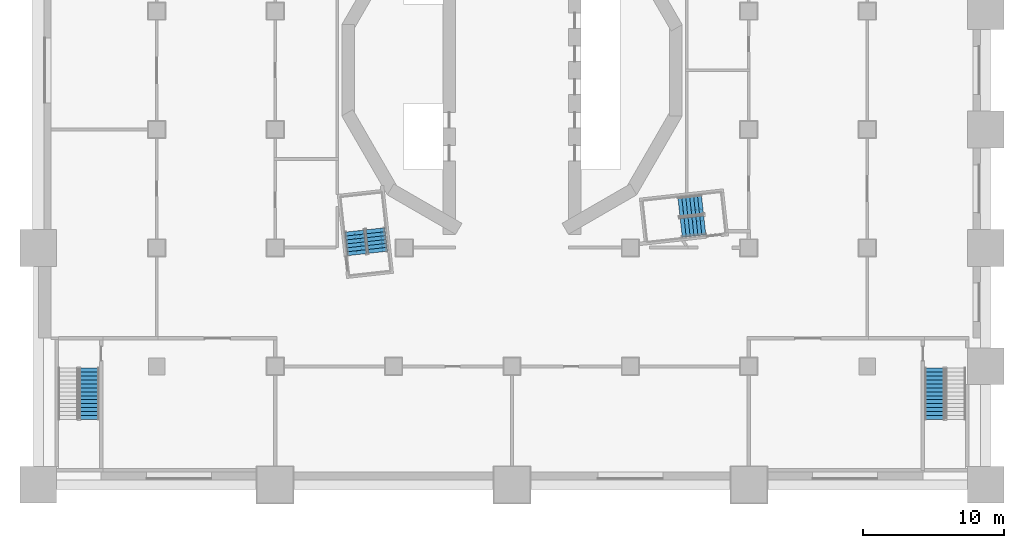
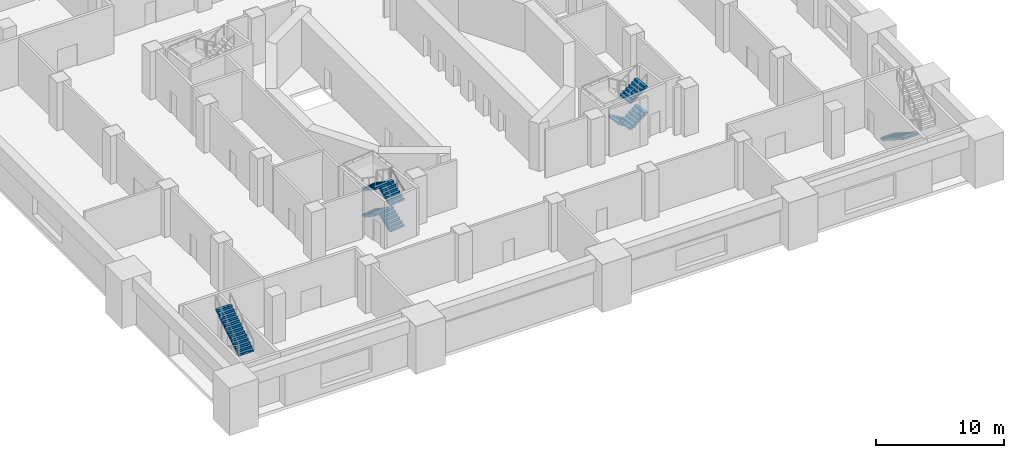
# One storey, part 6 of 17: 9 stair flights, 4 elements without a shape of their own.
"""IFC4 building model written with IfcOpenShell, lengths in metres."""

from ifc_helpers import new_model, si_unit, direction, frame, origin, place, context, subcontext, project, spatial, polyline, outline, extrude, material, type_object, element, aggregate, save


model = new_model("IFC4")

# Units and contexts
model_context = context("Model", 3, precision=1e-05, world=origin(), true_north=direction((0.0, 1.0)))
body_context = subcontext(model_context, "Body", "Model", "MODEL_VIEW")
ifc_project = project(units=[si_unit("LENGTHUNIT", "METRE"), si_unit("AREAUNIT", "SQUARE_METRE"), si_unit("VOLUMEUNIT", "CUBIC_METRE"), si_unit("PLANEANGLEUNIT", "RADIAN"), si_unit("MASSUNIT", "GRAM", prefix="KILO")], contexts=[model_context])

# Site, building, storey
site_placement = place(None, origin())
site = spatial("IfcSite", under=ifc_project, at=site_placement, CompositionType="ELEMENT")
building_placement = place(site_placement, origin())
building = spatial("IfcBuilding", under=site, at=building_placement, Name="Cantera Rosa Tower", CompositionType="ELEMENT")
storey_placement = place(building_placement, frame((0.0, 0.0, 32.0)))
storey = spatial("IfcBuildingStorey", under=building, at=storey_placement, Name="L05", CompositionType="ELEMENT", Elevation=32.0)

# Stair, stair flights
ifc_material_1 = material(Name="Concrete C35/45", Category="concrete")
stair_type_1 = type_object("IfcStairType", Name="EXIT STAIR 1350 DOGLEG", PredefinedType="HALF_TURN_STAIR", material=ifc_material_1)
stair_1_placement = place(storey_placement, origin())
stair_1 = element("IfcStair", 1, at=stair_1_placement, inside=storey, type_object=stair_type_1, Name="L05 ST-13", PredefinedType="HALF_TURN_STAIR")
ifc_material_2 = material(Name="Concrete C35/45", Category="concrete")
stair_flight_type_1 = type_object("IfcStairFlightType", Name="STAIR FLIGHT 1350 R28x179", PredefinedType="STRAIGHT", material=ifc_material_2)
stair_flight_1_placement = place(storey_placement, frame((-9.500244140625, -12.90869140625, 0.0), z_axis=(0.0, 0.0, 1.0), x_axis=(-0.110312549749, 0.993896947056, 0.0)))
stair_flight_1 = element("IfcStairFlight", 2, at=stair_flight_1_placement, type_object=stair_flight_type_1, Name="ST-13 flight 1", NumberOfRisers=7, NumberOfTreads=6, PredefinedType="STRAIGHT", RiserHeight=0.178571429, TreadLength=0.28, context=body_context, shape_type="SweptSolid", body=[
    extrude(outline(polyline([(0.0, 0.0), (0.0, 0.178466796875), (0.280029296875, 0.178466796875), (0.280029296875, 0.357177734375), (0.56005859375, 0.357177734375), (0.56005859375, 0.53564453125), (0.840087890625, 0.53564453125), (0.840087890625, 0.71435546875), (1.1201171875, 0.71435546875), (1.1201171875, 0.892822265625), (1.39990234375, 0.892822265625), (1.39990234375, 1.071533203125), (1.679931640625, 1.071533203125), (1.679931640625, 1.25), (1.679931640625, 0.8935546875), (0.27880859375, 0.0), (0.0, 0.0)])), frame((0.0, 0.675048828125, 0.0), z_axis=(0.0, -1.0, 0.0), x_axis=(1.0, 0.0, 0.0)), (0.0, 0.0, 1.0), 0.3359375),
    extrude(outline(polyline([(0.0, 0.0), (0.0, 0.178466796875), (0.280029296875, 0.178466796875), (0.280029296875, 0.357177734375), (0.56005859375, 0.357177734375), (0.56005859375, 0.53564453125), (0.840087890625, 0.53564453125), (0.840087890625, 0.71435546875), (1.1201171875, 0.71435546875), (1.1201171875, 0.892822265625), (1.39990234375, 0.892822265625), (1.39990234375, 1.071533203125), (1.679931640625, 1.071533203125), (1.679931640625, 1.25), (1.679931640625, 0.8935546875), (0.27880859375, 0.0), (0.0, 0.0)])), frame((0.0, 0.337158203125, 0.0), z_axis=(0.0, -1.0, 0.0), x_axis=(1.0, 0.0, 0.0)), (0.0, 0.0, 1.0), 0.3359375),
    extrude(outline(polyline([(0.0, 0.0), (0.0, 0.178466796875), (0.280029296875, 0.178466796875), (0.280029296875, 0.357177734375), (0.56005859375, 0.357177734375), (0.56005859375, 0.53564453125), (0.840087890625, 0.53564453125), (0.840087890625, 0.71435546875), (1.1201171875, 0.71435546875), (1.1201171875, 0.892822265625), (1.39990234375, 0.892822265625), (1.39990234375, 1.071533203125), (1.679931640625, 1.071533203125), (1.679931640625, 1.25), (1.679931640625, 0.8935546875), (0.27880859375, 0.0), (0.0, 0.0)])), frame((0.0, -0.000732421875, 0.0), z_axis=(0.0, -1.0, 0.0), x_axis=(1.0, 0.0, 0.0)), (0.0, 0.0, 1.0), 0.3359375),
    extrude(outline(polyline([(0.0, 0.0), (0.0, 0.178466796875), (0.280029296875, 0.178466796875), (0.280029296875, 0.357177734375), (0.56005859375, 0.357177734375), (0.56005859375, 0.53564453125), (0.840087890625, 0.53564453125), (0.840087890625, 0.71435546875), (1.1201171875, 0.71435546875), (1.1201171875, 0.892822265625), (1.39990234375, 0.892822265625), (1.39990234375, 1.071533203125), (1.679931640625, 1.071533203125), (1.679931640625, 1.25), (1.679931640625, 0.8935546875), (0.27880859375, 0.0), (0.0, 0.0)])), frame((0.0, -0.338623046875, 0.0), z_axis=(0.0, -1.0, 0.0), x_axis=(1.0, 0.0, 0.0)), (0.0, 0.0, 1.0), 0.3359375),
])
stair_flight_2_placement = place(storey_placement, frame((-11.17626953125, -11.404541015625, 1.25), z_axis=(0.0, 0.0, 1.0), x_axis=(0.110312549749, -0.993896947056, 0.0)))
stair_flight_2 = element("IfcStairFlight", 3, at=stair_flight_2_placement, type_object=stair_flight_type_1, Name="ST-13 flight 2", NumberOfRisers=7, NumberOfTreads=6, PredefinedType="STRAIGHT", RiserHeight=0.178571429, TreadLength=0.28, context=body_context, shape_type="SweptSolid", body=[
    extrude(outline(polyline([(0.0, 0.0), (0.0, 0.178466796875), (0.280029296875, 0.178466796875), (0.280029296875, 0.357177734375), (0.56005859375, 0.357177734375), (0.56005859375, 0.53564453125), (0.840087890625, 0.53564453125), (0.840087890625, 0.71435546875), (1.1201171875, 0.71435546875), (1.1201171875, 0.892822265625), (1.39990234375, 0.892822265625), (1.39990234375, 1.071533203125), (1.679931640625, 1.071533203125), (1.679931640625, 1.25), (1.679931640625, 0.8935546875), (0.27880859375, 0.0), (0.0, 0.0)])), frame((0.0, 0.675048828125, 0.0), z_axis=(0.0, -1.0, 0.0), x_axis=(1.0, 0.0, 0.0)), (0.0, 0.0, 1.0), 0.3359375),
    extrude(outline(polyline([(0.0, 0.0), (0.0, 0.178466796875), (0.280029296875, 0.178466796875), (0.280029296875, 0.357177734375), (0.56005859375, 0.357177734375), (0.56005859375, 0.53564453125), (0.840087890625, 0.53564453125), (0.840087890625, 0.71435546875), (1.1201171875, 0.71435546875), (1.1201171875, 0.892822265625), (1.39990234375, 0.892822265625), (1.39990234375, 1.071533203125), (1.679931640625, 1.071533203125), (1.679931640625, 1.25), (1.679931640625, 0.8935546875), (0.27880859375, 0.0), (0.0, 0.0)])), frame((0.0, 0.337158203125, 0.0), z_axis=(0.0, -1.0, 0.0), x_axis=(1.0, 0.0, 0.0)), (0.0, 0.0, 1.0), 0.3359375),
    extrude(outline(polyline([(0.0, 0.0), (0.0, 0.178466796875), (0.280029296875, 0.178466796875), (0.280029296875, 0.357177734375), (0.56005859375, 0.357177734375), (0.56005859375, 0.53564453125), (0.840087890625, 0.53564453125), (0.840087890625, 0.71435546875), (1.1201171875, 0.71435546875), (1.1201171875, 0.892822265625), (1.39990234375, 0.892822265625), (1.39990234375, 1.071533203125), (1.679931640625, 1.071533203125), (1.679931640625, 1.25), (1.679931640625, 0.8935546875), (0.27880859375, 0.0), (0.0, 0.0)])), frame((0.0, -0.000732421875, 0.0), z_axis=(0.0, -1.0, 0.0), x_axis=(1.0, 0.0, 0.0)), (0.0, 0.0, 1.0), 0.3359375),
    extrude(outline(polyline([(0.0, 0.0), (0.0, 0.178466796875), (0.280029296875, 0.178466796875), (0.280029296875, 0.357177734375), (0.56005859375, 0.357177734375), (0.56005859375, 0.53564453125), (0.840087890625, 0.53564453125), (0.840087890625, 0.71435546875), (1.1201171875, 0.71435546875), (1.1201171875, 0.892822265625), (1.39990234375, 0.892822265625), (1.39990234375, 1.071533203125), (1.679931640625, 1.071533203125), (1.679931640625, 1.25), (1.679931640625, 0.8935546875), (0.27880859375, 0.0), (0.0, 0.0)])), frame((0.0, -0.338623046875, 0.0), z_axis=(0.0, -1.0, 0.0), x_axis=(1.0, 0.0, 0.0)), (0.0, 0.0, 1.0), 0.3359375),
])
stair_flight_3_placement = place(storey_placement, frame((-9.500244140625, -12.90869140625, 2.5), z_axis=(0.0, 0.0, 1.0), x_axis=(-0.110312549749, 0.993896947056, 0.0)))
stair_flight_3 = element("IfcStairFlight", 4, at=stair_flight_3_placement, type_object=stair_flight_type_1, Name="ST-13 flight 3", NumberOfRisers=7, NumberOfTreads=6, PredefinedType="STRAIGHT", RiserHeight=0.178571429, TreadLength=0.28, context=body_context, shape_type="SweptSolid", body=[
    extrude(outline(polyline([(0.0, 0.0), (0.0, 0.178466796875), (0.280029296875, 0.178466796875), (0.280029296875, 0.357177734375), (0.56005859375, 0.357177734375), (0.56005859375, 0.53564453125), (0.840087890625, 0.53564453125), (0.840087890625, 0.71435546875), (1.1201171875, 0.71435546875), (1.1201171875, 0.892822265625), (1.39990234375, 0.892822265625), (1.39990234375, 1.071533203125), (1.679931640625, 1.071533203125), (1.679931640625, 1.25), (1.679931640625, 0.8935546875), (0.27880859375, 0.0), (0.0, 0.0)])), frame((0.0, 0.675048828125, 0.0), z_axis=(0.0, -1.0, 0.0), x_axis=(1.0, 0.0, 0.0)), (0.0, 0.0, 1.0), 0.3359375),
    extrude(outline(polyline([(0.0, 0.0), (0.0, 0.178466796875), (0.280029296875, 0.178466796875), (0.280029296875, 0.357177734375), (0.56005859375, 0.357177734375), (0.56005859375, 0.53564453125), (0.840087890625, 0.53564453125), (0.840087890625, 0.71435546875), (1.1201171875, 0.71435546875), (1.1201171875, 0.892822265625), (1.39990234375, 0.892822265625), (1.39990234375, 1.071533203125), (1.679931640625, 1.071533203125), (1.679931640625, 1.25), (1.679931640625, 0.8935546875), (0.27880859375, 0.0), (0.0, 0.0)])), frame((0.0, 0.337158203125, 0.0), z_axis=(0.0, -1.0, 0.0), x_axis=(1.0, 0.0, 0.0)), (0.0, 0.0, 1.0), 0.3359375),
    extrude(outline(polyline([(0.0, 0.0), (0.0, 0.178466796875), (0.280029296875, 0.178466796875), (0.280029296875, 0.357177734375), (0.56005859375, 0.357177734375), (0.56005859375, 0.53564453125), (0.840087890625, 0.53564453125), (0.840087890625, 0.71435546875), (1.1201171875, 0.71435546875), (1.1201171875, 0.892822265625), (1.39990234375, 0.892822265625), (1.39990234375, 1.071533203125), (1.679931640625, 1.071533203125), (1.679931640625, 1.25), (1.679931640625, 0.8935546875), (0.27880859375, 0.0), (0.0, 0.0)])), frame((0.0, -0.000732421875, 0.0), z_axis=(0.0, -1.0, 0.0), x_axis=(1.0, 0.0, 0.0)), (0.0, 0.0, 1.0), 0.3359375),
    extrude(outline(polyline([(0.0, 0.0), (0.0, 0.178466796875), (0.280029296875, 0.178466796875), (0.280029296875, 0.357177734375), (0.56005859375, 0.357177734375), (0.56005859375, 0.53564453125), (0.840087890625, 0.53564453125), (0.840087890625, 0.71435546875), (1.1201171875, 0.71435546875), (1.1201171875, 0.892822265625), (1.39990234375, 0.892822265625), (1.39990234375, 1.071533203125), (1.679931640625, 1.071533203125), (1.679931640625, 1.25), (1.679931640625, 0.8935546875), (0.27880859375, 0.0), (0.0, 0.0)])), frame((0.0, -0.338623046875, 0.0), z_axis=(0.0, -1.0, 0.0), x_axis=(1.0, 0.0, 0.0)), (0.0, 0.0, 1.0), 0.3359375),
])
stair_flight_4_placement = place(storey_placement, frame((-11.17626953125, -11.404541015625, 3.75), z_axis=(0.0, 0.0, 1.0), x_axis=(0.110312549749, -0.993896947056, 0.0)))
stair_flight_4 = element("IfcStairFlight", 5, at=stair_flight_4_placement, type_object=stair_flight_type_1, Name="ST-13 flight 4", NumberOfRisers=7, NumberOfTreads=6, PredefinedType="STRAIGHT", RiserHeight=0.178571429, TreadLength=0.28, context=body_context, shape_type="SweptSolid", body=[
    extrude(outline(polyline([(0.0, 0.0), (0.0, 0.178466796875), (0.280029296875, 0.178466796875), (0.280029296875, 0.357177734375), (0.56005859375, 0.357177734375), (0.56005859375, 0.53564453125), (0.840087890625, 0.53564453125), (0.840087890625, 0.71435546875), (1.1201171875, 0.71435546875), (1.1201171875, 0.892822265625), (1.39990234375, 0.892822265625), (1.39990234375, 1.071533203125), (1.679931640625, 1.071533203125), (1.679931640625, 1.25), (1.679931640625, 0.8935546875), (0.27880859375, 0.0), (0.0, 0.0)])), frame((0.0, 0.675048828125, 0.0), z_axis=(0.0, -1.0, 0.0), x_axis=(1.0, 0.0, 0.0)), (0.0, 0.0, 1.0), 0.3359375),
    extrude(outline(polyline([(0.0, 0.0), (0.0, 0.178466796875), (0.280029296875, 0.178466796875), (0.280029296875, 0.357177734375), (0.56005859375, 0.357177734375), (0.56005859375, 0.53564453125), (0.840087890625, 0.53564453125), (0.840087890625, 0.71435546875), (1.1201171875, 0.71435546875), (1.1201171875, 0.892822265625), (1.39990234375, 0.892822265625), (1.39990234375, 1.071533203125), (1.679931640625, 1.071533203125), (1.679931640625, 1.25), (1.679931640625, 0.8935546875), (0.27880859375, 0.0), (0.0, 0.0)])), frame((0.0, 0.337158203125, 0.0), z_axis=(0.0, -1.0, 0.0), x_axis=(1.0, 0.0, 0.0)), (0.0, 0.0, 1.0), 0.3359375),
    extrude(outline(polyline([(0.0, 0.0), (0.0, 0.178466796875), (0.280029296875, 0.178466796875), (0.280029296875, 0.357177734375), (0.56005859375, 0.357177734375), (0.56005859375, 0.53564453125), (0.840087890625, 0.53564453125), (0.840087890625, 0.71435546875), (1.1201171875, 0.71435546875), (1.1201171875, 0.892822265625), (1.39990234375, 0.892822265625), (1.39990234375, 1.071533203125), (1.679931640625, 1.071533203125), (1.679931640625, 1.25), (1.679931640625, 0.8935546875), (0.27880859375, 0.0), (0.0, 0.0)])), frame((0.0, -0.000732421875, 0.0), z_axis=(0.0, -1.0, 0.0), x_axis=(1.0, 0.0, 0.0)), (0.0, 0.0, 1.0), 0.3359375),
    extrude(outline(polyline([(0.0, 0.0), (0.0, 0.178466796875), (0.280029296875, 0.178466796875), (0.280029296875, 0.357177734375), (0.56005859375, 0.357177734375), (0.56005859375, 0.53564453125), (0.840087890625, 0.53564453125), (0.840087890625, 0.71435546875), (1.1201171875, 0.71435546875), (1.1201171875, 0.892822265625), (1.39990234375, 0.892822265625), (1.39990234375, 1.071533203125), (1.679931640625, 1.071533203125), (1.679931640625, 1.25), (1.679931640625, 0.8935546875), (0.27880859375, 0.0), (0.0, 0.0)])), frame((0.0, -0.338623046875, 0.0), z_axis=(0.0, -1.0, 0.0), x_axis=(1.0, 0.0, 0.0)), (0.0, 0.0, 1.0), 0.3359375),
])
aggregate(stair_1, [stair_flight_1, stair_flight_2, stair_flight_3, stair_flight_4])

stair_2_placement = place(storey_placement, origin())
stair_2 = element("IfcStair", 6, at=stair_2_placement, inside=storey, type_object=stair_type_1, Name="L05 ST-14", PredefinedType="HALF_TURN_STAIR")
stair_flight_5_placement = place(storey_placement, frame((13.5087890625, -9.500244140625, 0.0), z_axis=(0.0, 0.0, 1.0), x_axis=(-0.993896947056, -0.110312549749, 0.0)))
stair_flight_5 = element("IfcStairFlight", 7, at=stair_flight_5_placement, type_object=stair_flight_type_1, Name="ST-14 flight 1", NumberOfRisers=7, NumberOfTreads=6, PredefinedType="STRAIGHT", RiserHeight=0.178571429, TreadLength=0.28, context=body_context, shape_type="SweptSolid", body=[
    extrude(outline(polyline([(0.0, 0.0), (0.0, 0.178466796875), (0.280029296875, 0.178466796875), (0.280029296875, 0.357177734375), (0.56005859375, 0.357177734375), (0.56005859375, 0.53564453125), (0.840087890625, 0.53564453125), (0.840087890625, 0.71435546875), (1.1201171875, 0.71435546875), (1.1201171875, 0.892822265625), (1.39990234375, 0.892822265625), (1.39990234375, 1.071533203125), (1.679931640625, 1.071533203125), (1.679931640625, 1.25), (1.679931640625, 0.8935546875), (0.27880859375, 0.0), (0.0, 0.0)])), frame((0.0, 0.675048828125, 0.0), z_axis=(0.0, -1.0, 0.0), x_axis=(1.0, 0.0, 0.0)), (0.0, 0.0, 1.0), 0.3359375),
    extrude(outline(polyline([(0.0, 0.0), (0.0, 0.178466796875), (0.280029296875, 0.178466796875), (0.280029296875, 0.357177734375), (0.56005859375, 0.357177734375), (0.56005859375, 0.53564453125), (0.840087890625, 0.53564453125), (0.840087890625, 0.71435546875), (1.1201171875, 0.71435546875), (1.1201171875, 0.892822265625), (1.39990234375, 0.892822265625), (1.39990234375, 1.071533203125), (1.679931640625, 1.071533203125), (1.679931640625, 1.25), (1.679931640625, 0.8935546875), (0.27880859375, 0.0), (0.0, 0.0)])), frame((0.0, 0.337158203125, 0.0), z_axis=(0.0, -1.0, 0.0), x_axis=(1.0, 0.0, 0.0)), (0.0, 0.0, 1.0), 0.3359375),
    extrude(outline(polyline([(0.0, 0.0), (0.0, 0.178466796875), (0.280029296875, 0.178466796875), (0.280029296875, 0.357177734375), (0.56005859375, 0.357177734375), (0.56005859375, 0.53564453125), (0.840087890625, 0.53564453125), (0.840087890625, 0.71435546875), (1.1201171875, 0.71435546875), (1.1201171875, 0.892822265625), (1.39990234375, 0.892822265625), (1.39990234375, 1.071533203125), (1.679931640625, 1.071533203125), (1.679931640625, 1.25), (1.679931640625, 0.8935546875), (0.27880859375, 0.0), (0.0, 0.0)])), frame((0.0, -0.000732421875, 0.0), z_axis=(0.0, -1.0, 0.0), x_axis=(1.0, 0.0, 0.0)), (0.0, 0.0, 1.0), 0.3359375),
    extrude(outline(polyline([(0.0, 0.0), (0.0, 0.178466796875), (0.280029296875, 0.178466796875), (0.280029296875, 0.357177734375), (0.56005859375, 0.357177734375), (0.56005859375, 0.53564453125), (0.840087890625, 0.53564453125), (0.840087890625, 0.71435546875), (1.1201171875, 0.71435546875), (1.1201171875, 0.892822265625), (1.39990234375, 0.892822265625), (1.39990234375, 1.071533203125), (1.679931640625, 1.071533203125), (1.679931640625, 1.25), (1.679931640625, 0.8935546875), (0.27880859375, 0.0), (0.0, 0.0)])), frame((0.0, -0.338623046875, 0.0), z_axis=(0.0, -1.0, 0.0), x_axis=(1.0, 0.0, 0.0)), (0.0, 0.0, 1.0), 0.3359375),
])
stair_flight_6_placement = place(storey_placement, frame((12.00439453125, -11.17626953125, 1.25), z_axis=(0.0, 0.0, 1.0), x_axis=(0.993896947056, 0.110312549749, 0.0)))
stair_flight_6 = element("IfcStairFlight", 8, at=stair_flight_6_placement, type_object=stair_flight_type_1, Name="ST-14 flight 2", NumberOfRisers=7, NumberOfTreads=6, PredefinedType="STRAIGHT", RiserHeight=0.178571429, TreadLength=0.28, context=body_context, shape_type="SweptSolid", body=[
    extrude(outline(polyline([(0.0, 0.0), (0.0, 0.178466796875), (0.280029296875, 0.178466796875), (0.280029296875, 0.357177734375), (0.56005859375, 0.357177734375), (0.56005859375, 0.53564453125), (0.840087890625, 0.53564453125), (0.840087890625, 0.71435546875), (1.1201171875, 0.71435546875), (1.1201171875, 0.892822265625), (1.39990234375, 0.892822265625), (1.39990234375, 1.071533203125), (1.679931640625, 1.071533203125), (1.679931640625, 1.25), (1.679931640625, 0.8935546875), (0.27880859375, 0.0), (0.0, 0.0)])), frame((0.0, 0.675048828125, 0.0), z_axis=(0.0, -1.0, 0.0), x_axis=(1.0, 0.0, 0.0)), (0.0, 0.0, 1.0), 0.3359375),
    extrude(outline(polyline([(0.0, 0.0), (0.0, 0.178466796875), (0.280029296875, 0.178466796875), (0.280029296875, 0.357177734375), (0.56005859375, 0.357177734375), (0.56005859375, 0.53564453125), (0.840087890625, 0.53564453125), (0.840087890625, 0.71435546875), (1.1201171875, 0.71435546875), (1.1201171875, 0.892822265625), (1.39990234375, 0.892822265625), (1.39990234375, 1.071533203125), (1.679931640625, 1.071533203125), (1.679931640625, 1.25), (1.679931640625, 0.8935546875), (0.27880859375, 0.0), (0.0, 0.0)])), frame((0.0, 0.337158203125, 0.0), z_axis=(0.0, -1.0, 0.0), x_axis=(1.0, 0.0, 0.0)), (0.0, 0.0, 1.0), 0.3359375),
    extrude(outline(polyline([(0.0, 0.0), (0.0, 0.178466796875), (0.280029296875, 0.178466796875), (0.280029296875, 0.357177734375), (0.56005859375, 0.357177734375), (0.56005859375, 0.53564453125), (0.840087890625, 0.53564453125), (0.840087890625, 0.71435546875), (1.1201171875, 0.71435546875), (1.1201171875, 0.892822265625), (1.39990234375, 0.892822265625), (1.39990234375, 1.071533203125), (1.679931640625, 1.071533203125), (1.679931640625, 1.25), (1.679931640625, 0.8935546875), (0.27880859375, 0.0), (0.0, 0.0)])), frame((0.0, -0.000732421875, 0.0), z_axis=(0.0, -1.0, 0.0), x_axis=(1.0, 0.0, 0.0)), (0.0, 0.0, 1.0), 0.3359375),
    extrude(outline(polyline([(0.0, 0.0), (0.0, 0.178466796875), (0.280029296875, 0.178466796875), (0.280029296875, 0.357177734375), (0.56005859375, 0.357177734375), (0.56005859375, 0.53564453125), (0.840087890625, 0.53564453125), (0.840087890625, 0.71435546875), (1.1201171875, 0.71435546875), (1.1201171875, 0.892822265625), (1.39990234375, 0.892822265625), (1.39990234375, 1.071533203125), (1.679931640625, 1.071533203125), (1.679931640625, 1.25), (1.679931640625, 0.8935546875), (0.27880859375, 0.0), (0.0, 0.0)])), frame((0.0, -0.338623046875, 0.0), z_axis=(0.0, -1.0, 0.0), x_axis=(1.0, 0.0, 0.0)), (0.0, 0.0, 1.0), 0.3359375),
])
stair_flight_7_placement = place(storey_placement, frame((12.00439453125, -11.17626953125, 3.75), z_axis=(0.0, 0.0, 1.0), x_axis=(0.993896947056, 0.110312549749, 0.0)))
stair_flight_7 = element("IfcStairFlight", 9, at=stair_flight_7_placement, type_object=stair_flight_type_1, Name="ST-14 flight 4", NumberOfRisers=7, NumberOfTreads=6, PredefinedType="STRAIGHT", RiserHeight=0.178571429, TreadLength=0.28, context=body_context, shape_type="SweptSolid", body=[
    extrude(outline(polyline([(0.0, 0.0), (0.0, 0.178466796875), (0.280029296875, 0.178466796875), (0.280029296875, 0.357177734375), (0.56005859375, 0.357177734375), (0.56005859375, 0.53564453125), (0.840087890625, 0.53564453125), (0.840087890625, 0.71435546875), (1.1201171875, 0.71435546875), (1.1201171875, 0.892822265625), (1.39990234375, 0.892822265625), (1.39990234375, 1.071533203125), (1.679931640625, 1.071533203125), (1.679931640625, 1.25), (1.679931640625, 0.8935546875), (0.27880859375, 0.0), (0.0, 0.0)])), frame((0.0, 0.675048828125, 0.0), z_axis=(0.0, -1.0, 0.0), x_axis=(1.0, 0.0, 0.0)), (0.0, 0.0, 1.0), 0.3359375),
    extrude(outline(polyline([(0.0, 0.0), (0.0, 0.178466796875), (0.280029296875, 0.178466796875), (0.280029296875, 0.357177734375), (0.56005859375, 0.357177734375), (0.56005859375, 0.53564453125), (0.840087890625, 0.53564453125), (0.840087890625, 0.71435546875), (1.1201171875, 0.71435546875), (1.1201171875, 0.892822265625), (1.39990234375, 0.892822265625), (1.39990234375, 1.071533203125), (1.679931640625, 1.071533203125), (1.679931640625, 1.25), (1.679931640625, 0.8935546875), (0.27880859375, 0.0), (0.0, 0.0)])), frame((0.0, 0.337158203125, 0.0), z_axis=(0.0, -1.0, 0.0), x_axis=(1.0, 0.0, 0.0)), (0.0, 0.0, 1.0), 0.3359375),
    extrude(outline(polyline([(0.0, 0.0), (0.0, 0.178466796875), (0.280029296875, 0.178466796875), (0.280029296875, 0.357177734375), (0.56005859375, 0.357177734375), (0.56005859375, 0.53564453125), (0.840087890625, 0.53564453125), (0.840087890625, 0.71435546875), (1.1201171875, 0.71435546875), (1.1201171875, 0.892822265625), (1.39990234375, 0.892822265625), (1.39990234375, 1.071533203125), (1.679931640625, 1.071533203125), (1.679931640625, 1.25), (1.679931640625, 0.8935546875), (0.27880859375, 0.0), (0.0, 0.0)])), frame((0.0, -0.000732421875, 0.0), z_axis=(0.0, -1.0, 0.0), x_axis=(1.0, 0.0, 0.0)), (0.0, 0.0, 1.0), 0.3359375),
    extrude(outline(polyline([(0.0, 0.0), (0.0, 0.178466796875), (0.280029296875, 0.178466796875), (0.280029296875, 0.357177734375), (0.56005859375, 0.357177734375), (0.56005859375, 0.53564453125), (0.840087890625, 0.53564453125), (0.840087890625, 0.71435546875), (1.1201171875, 0.71435546875), (1.1201171875, 0.892822265625), (1.39990234375, 0.892822265625), (1.39990234375, 1.071533203125), (1.679931640625, 1.071533203125), (1.679931640625, 1.25), (1.679931640625, 0.8935546875), (0.27880859375, 0.0), (0.0, 0.0)])), frame((0.0, -0.338623046875, 0.0), z_axis=(0.0, -1.0, 0.0), x_axis=(1.0, 0.0, 0.0)), (0.0, 0.0, 1.0), 0.3359375),
])
aggregate(stair_2, [stair_flight_5, stair_flight_6, stair_flight_7])

# Stair, stair flight
ifc_material_3 = material(Name="Concrete C35/45", Category="concrete")
stair_type_2 = type_object("IfcStairType", Name="Stair half-turn 1350", PredefinedType="HALF_TURN_STAIR", material=ifc_material_3)
stair_3_placement = place(storey_placement, origin())
stair_3 = element("IfcStair", 10, at=stair_3_placement, inside=storey, type_object=stair_type_2, Name="L05 ST-SE", PredefinedType="HALF_TURN_STAIR")
ifc_material_4 = material(Name="Concrete C35/45", Category="concrete")
stair_flight_type_2 = type_object("IfcStairFlightType", Name="Stair flight 1350", PredefinedType="STRAIGHT", material=ifc_material_4)
stair_flight_8_placement = place(storey_placement, frame((29.949951171875, -21.125, 0.0), z_axis=(0.0, 0.0, 1.0), x_axis=(0.0, -1.0, 0.0)))
stair_flight_8 = element("IfcStairFlight", 11, at=stair_flight_8_placement, type_object=stair_flight_type_2, Name="ST-SE flight 1", NumberOfRisers=14, NumberOfTreads=13, PredefinedType="STRAIGHT", RiserHeight=0.178571429, TreadLength=0.28, context=body_context, shape_type="SweptSolid", body=[
    extrude(outline(polyline([(0.0, 0.0), (0.0, 0.178466796875), (0.280029296875, 0.178466796875), (0.280029296875, 0.357177734375), (0.56005859375, 0.357177734375), (0.56005859375, 0.53564453125), (0.840087890625, 0.53564453125), (0.840087890625, 0.71435546875), (1.1201171875, 0.71435546875), (1.1201171875, 0.892822265625), (1.39990234375, 0.892822265625), (1.39990234375, 1.071533203125), (1.679931640625, 1.071533203125), (1.679931640625, 1.25), (1.9599609375, 1.25), (1.9599609375, 1.428466796875), (2.239990234375, 1.428466796875), (2.239990234375, 1.607177734375), (2.52001953125, 1.607177734375), (2.52001953125, 1.78564453125), (2.800048828125, 1.78564453125), (2.800048828125, 1.96435546875), (3.080078125, 1.96435546875), (3.080078125, 2.142822265625), (3.360107421875, 2.142822265625), (3.360107421875, 2.321533203125), (3.639892578125, 2.321533203125), (3.639892578125, 2.5), (3.639892578125, 2.1435546875), (0.27880859375, 0.0), (0.0, 0.0)])), frame((0.0, 0.675048828125, 0.0), z_axis=(0.0, -1.0, 0.0), x_axis=(1.0, 0.0, 0.0)), (0.0, 0.0, 1.0), 0.3359375),
    extrude(outline(polyline([(0.0, 0.0), (0.0, 0.178466796875), (0.280029296875, 0.178466796875), (0.280029296875, 0.357177734375), (0.56005859375, 0.357177734375), (0.56005859375, 0.53564453125), (0.840087890625, 0.53564453125), (0.840087890625, 0.71435546875), (1.1201171875, 0.71435546875), (1.1201171875, 0.892822265625), (1.39990234375, 0.892822265625), (1.39990234375, 1.071533203125), (1.679931640625, 1.071533203125), (1.679931640625, 1.25), (1.9599609375, 1.25), (1.9599609375, 1.428466796875), (2.239990234375, 1.428466796875), (2.239990234375, 1.607177734375), (2.52001953125, 1.607177734375), (2.52001953125, 1.78564453125), (2.800048828125, 1.78564453125), (2.800048828125, 1.96435546875), (3.080078125, 1.96435546875), (3.080078125, 2.142822265625), (3.360107421875, 2.142822265625), (3.360107421875, 2.321533203125), (3.639892578125, 2.321533203125), (3.639892578125, 2.5), (3.639892578125, 2.1435546875), (0.27880859375, 0.0), (0.0, 0.0)])), frame((0.0, 0.337158203125, 0.0), z_axis=(0.0, -1.0, 0.0), x_axis=(1.0, 0.0, 0.0)), (0.0, 0.0, 1.0), 0.3359375),
    extrude(outline(polyline([(0.0, 0.0), (0.0, 0.178466796875), (0.280029296875, 0.178466796875), (0.280029296875, 0.357177734375), (0.56005859375, 0.357177734375), (0.56005859375, 0.53564453125), (0.840087890625, 0.53564453125), (0.840087890625, 0.71435546875), (1.1201171875, 0.71435546875), (1.1201171875, 0.892822265625), (1.39990234375, 0.892822265625), (1.39990234375, 1.071533203125), (1.679931640625, 1.071533203125), (1.679931640625, 1.25), (1.9599609375, 1.25), (1.9599609375, 1.428466796875), (2.239990234375, 1.428466796875), (2.239990234375, 1.607177734375), (2.52001953125, 1.607177734375), (2.52001953125, 1.78564453125), (2.800048828125, 1.78564453125), (2.800048828125, 1.96435546875), (3.080078125, 1.96435546875), (3.080078125, 2.142822265625), (3.360107421875, 2.142822265625), (3.360107421875, 2.321533203125), (3.639892578125, 2.321533203125), (3.639892578125, 2.5), (3.639892578125, 2.1435546875), (0.27880859375, 0.0), (0.0, 0.0)])), frame((0.0, -0.000732421875, 0.0), z_axis=(0.0, -1.0, 0.0), x_axis=(1.0, 0.0, 0.0)), (0.0, 0.0, 1.0), 0.3359375),
    extrude(outline(polyline([(0.0, 0.0), (0.0, 0.178466796875), (0.280029296875, 0.178466796875), (0.280029296875, 0.357177734375), (0.56005859375, 0.357177734375), (0.56005859375, 0.53564453125), (0.840087890625, 0.53564453125), (0.840087890625, 0.71435546875), (1.1201171875, 0.71435546875), (1.1201171875, 0.892822265625), (1.39990234375, 0.892822265625), (1.39990234375, 1.071533203125), (1.679931640625, 1.071533203125), (1.679931640625, 1.25), (1.9599609375, 1.25), (1.9599609375, 1.428466796875), (2.239990234375, 1.428466796875), (2.239990234375, 1.607177734375), (2.52001953125, 1.607177734375), (2.52001953125, 1.78564453125), (2.800048828125, 1.78564453125), (2.800048828125, 1.96435546875), (3.080078125, 1.96435546875), (3.080078125, 2.142822265625), (3.360107421875, 2.142822265625), (3.360107421875, 2.321533203125), (3.639892578125, 2.321533203125), (3.639892578125, 2.5), (3.639892578125, 2.1435546875), (0.27880859375, 0.0), (0.0, 0.0)])), frame((0.0, -0.338623046875, 0.0), z_axis=(0.0, -1.0, 0.0), x_axis=(1.0, 0.0, 0.0)), (0.0, 0.0, 1.0), 0.3359375),
])
aggregate(stair_3, [stair_flight_8])

stair_4_placement = place(storey_placement, origin())
stair_4 = element("IfcStair", 12, at=stair_4_placement, inside=storey, type_object=stair_type_2, Name="L05 ST-SW", PredefinedType="HALF_TURN_STAIR")
stair_flight_9_placement = place(storey_placement, frame((-29.949951171875, -24.764892578125, 2.5), z_axis=(0.0, 0.0, 1.0), x_axis=(0.0, 1.0, 0.0)))
stair_flight_9 = element("IfcStairFlight", 13, at=stair_flight_9_placement, type_object=stair_flight_type_2, Name="ST-SW flight 2", NumberOfRisers=14, NumberOfTreads=13, PredefinedType="STRAIGHT", RiserHeight=0.178571429, TreadLength=0.28, context=body_context, shape_type="SweptSolid", body=[
    extrude(outline(polyline([(0.0, 0.0), (0.0, 0.178466796875), (0.280029296875, 0.178466796875), (0.280029296875, 0.357177734375), (0.56005859375, 0.357177734375), (0.56005859375, 0.53564453125), (0.840087890625, 0.53564453125), (0.840087890625, 0.71435546875), (1.1201171875, 0.71435546875), (1.1201171875, 0.892822265625), (1.39990234375, 0.892822265625), (1.39990234375, 1.071533203125), (1.679931640625, 1.071533203125), (1.679931640625, 1.25), (1.9599609375, 1.25), (1.9599609375, 1.428466796875), (2.239990234375, 1.428466796875), (2.239990234375, 1.607177734375), (2.52001953125, 1.607177734375), (2.52001953125, 1.78564453125), (2.800048828125, 1.78564453125), (2.800048828125, 1.96435546875), (3.080078125, 1.96435546875), (3.080078125, 2.142822265625), (3.360107421875, 2.142822265625), (3.360107421875, 2.321533203125), (3.639892578125, 2.321533203125), (3.639892578125, 2.5), (3.639892578125, 2.1435546875), (0.27880859375, 0.0), (0.0, 0.0)])), frame((0.0, 0.675048828125, 0.0), z_axis=(0.0, -1.0, 0.0), x_axis=(1.0, 0.0, 0.0)), (0.0, 0.0, 1.0), 0.3359375),
    extrude(outline(polyline([(0.0, 0.0), (0.0, 0.178466796875), (0.280029296875, 0.178466796875), (0.280029296875, 0.357177734375), (0.56005859375, 0.357177734375), (0.56005859375, 0.53564453125), (0.840087890625, 0.53564453125), (0.840087890625, 0.71435546875), (1.1201171875, 0.71435546875), (1.1201171875, 0.892822265625), (1.39990234375, 0.892822265625), (1.39990234375, 1.071533203125), (1.679931640625, 1.071533203125), (1.679931640625, 1.25), (1.9599609375, 1.25), (1.9599609375, 1.428466796875), (2.239990234375, 1.428466796875), (2.239990234375, 1.607177734375), (2.52001953125, 1.607177734375), (2.52001953125, 1.78564453125), (2.800048828125, 1.78564453125), (2.800048828125, 1.96435546875), (3.080078125, 1.96435546875), (3.080078125, 2.142822265625), (3.360107421875, 2.142822265625), (3.360107421875, 2.321533203125), (3.639892578125, 2.321533203125), (3.639892578125, 2.5), (3.639892578125, 2.1435546875), (0.27880859375, 0.0), (0.0, 0.0)])), frame((0.0, 0.337158203125, 0.0), z_axis=(0.0, -1.0, 0.0), x_axis=(1.0, 0.0, 0.0)), (0.0, 0.0, 1.0), 0.3359375),
    extrude(outline(polyline([(0.0, 0.0), (0.0, 0.178466796875), (0.280029296875, 0.178466796875), (0.280029296875, 0.357177734375), (0.56005859375, 0.357177734375), (0.56005859375, 0.53564453125), (0.840087890625, 0.53564453125), (0.840087890625, 0.71435546875), (1.1201171875, 0.71435546875), (1.1201171875, 0.892822265625), (1.39990234375, 0.892822265625), (1.39990234375, 1.071533203125), (1.679931640625, 1.071533203125), (1.679931640625, 1.25), (1.9599609375, 1.25), (1.9599609375, 1.428466796875), (2.239990234375, 1.428466796875), (2.239990234375, 1.607177734375), (2.52001953125, 1.607177734375), (2.52001953125, 1.78564453125), (2.800048828125, 1.78564453125), (2.800048828125, 1.96435546875), (3.080078125, 1.96435546875), (3.080078125, 2.142822265625), (3.360107421875, 2.142822265625), (3.360107421875, 2.321533203125), (3.639892578125, 2.321533203125), (3.639892578125, 2.5), (3.639892578125, 2.1435546875), (0.27880859375, 0.0), (0.0, 0.0)])), frame((0.0, -0.000732421875, 0.0), z_axis=(0.0, -1.0, 0.0), x_axis=(1.0, 0.0, 0.0)), (0.0, 0.0, 1.0), 0.3359375),
    extrude(outline(polyline([(0.0, 0.0), (0.0, 0.178466796875), (0.280029296875, 0.178466796875), (0.280029296875, 0.357177734375), (0.56005859375, 0.357177734375), (0.56005859375, 0.53564453125), (0.840087890625, 0.53564453125), (0.840087890625, 0.71435546875), (1.1201171875, 0.71435546875), (1.1201171875, 0.892822265625), (1.39990234375, 0.892822265625), (1.39990234375, 1.071533203125), (1.679931640625, 1.071533203125), (1.679931640625, 1.25), (1.9599609375, 1.25), (1.9599609375, 1.428466796875), (2.239990234375, 1.428466796875), (2.239990234375, 1.607177734375), (2.52001953125, 1.607177734375), (2.52001953125, 1.78564453125), (2.800048828125, 1.78564453125), (2.800048828125, 1.96435546875), (3.080078125, 1.96435546875), (3.080078125, 2.142822265625), (3.360107421875, 2.142822265625), (3.360107421875, 2.321533203125), (3.639892578125, 2.321533203125), (3.639892578125, 2.5), (3.639892578125, 2.1435546875), (0.27880859375, 0.0), (0.0, 0.0)])), frame((0.0, -0.338623046875, 0.0), z_axis=(0.0, -1.0, 0.0), x_axis=(1.0, 0.0, 0.0)), (0.0, 0.0, 1.0), 0.3359375),
])
aggregate(stair_4, [stair_flight_9])

save(model, "model.ifc")
